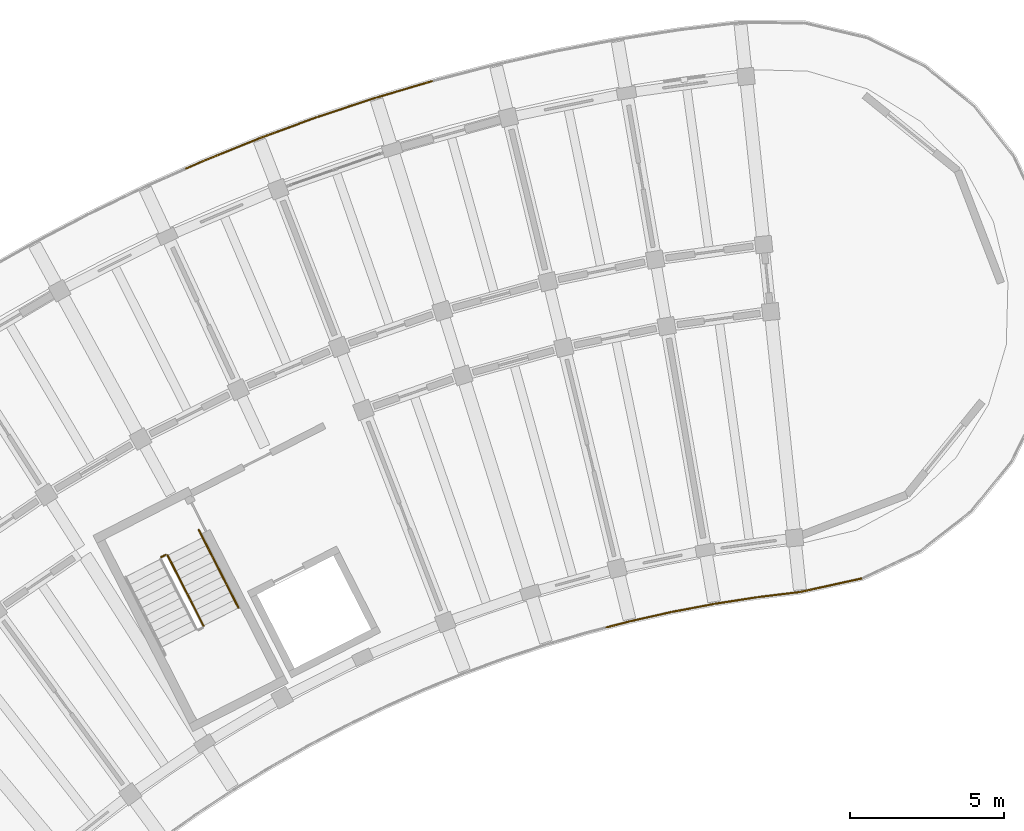
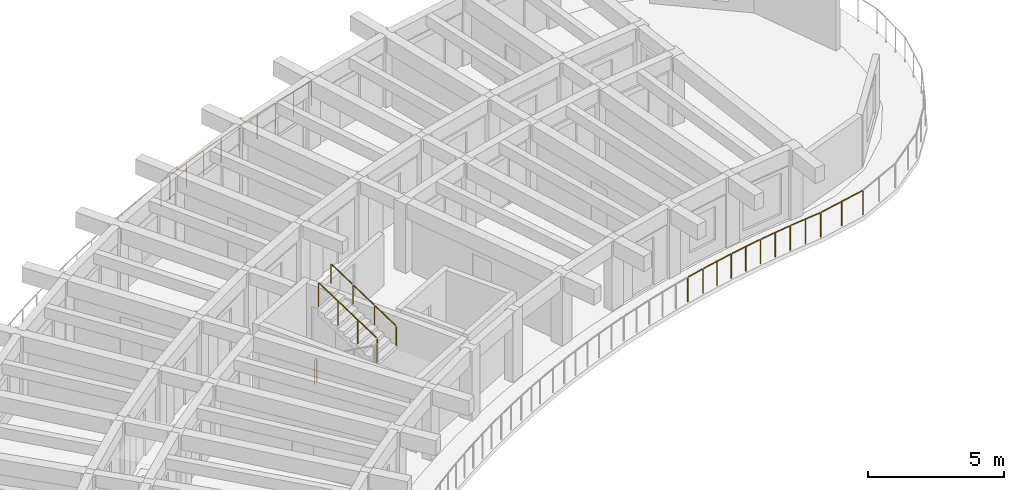
# One storey, part 69 of 78: 7 railings.
"""IFC4 building model written with IfcOpenShell, lengths in metres."""

from ifc_helpers import new_model, si_unit, direction, frame, origin, origin_2d, place, context, subcontext, project, spatial, circle, extrude, material, type_object, element, save


model = new_model("IFC4")

# Units and contexts
model_context = context("Model", 3, precision=1e-05, world=origin(), true_north=direction((0.0, 1.0)))
body_context = subcontext(model_context, "Body", "Model", "MODEL_VIEW")
ifc_project = project(units=[si_unit("LENGTHUNIT", "METRE"), si_unit("AREAUNIT", "SQUARE_METRE"), si_unit("VOLUMEUNIT", "CUBIC_METRE"), si_unit("PLANEANGLEUNIT", "RADIAN"), si_unit("MASSUNIT", "GRAM", prefix="KILO")], contexts=[model_context])

# Site, building, storey
site_placement = place(None, origin())
site = spatial("IfcSite", under=ifc_project, at=site_placement, CompositionType="ELEMENT")
building_placement = place(site_placement, origin())
building = spatial("IfcBuilding", under=site, at=building_placement, Name="Tanwirah Colonnade Gardens", CompositionType="ELEMENT")
storey_placement = place(building_placement, frame((0.0, 0.0, 22.280029296875)))
storey = spatial("IfcBuildingStorey", under=building, at=storey_placement, Name="L06", CompositionType="ELEMENT", Elevation=22.280029296875)

# Railings
ifc_material_1 = material(Name="Precast concrete C40/50", Category="concrete")
railing_type_1 = type_object("IfcRailingType", Name="BAL-EXT112", PredefinedType="BALUSTRADE", material=ifc_material_1)
railing_1_placement = place(storey_placement, frame((62.57666015625, 103.095947265625, 0.0)))
element("IfcRailing", 1, at=railing_1_placement, inside=storey, type_object=railing_type_1, Name="Block A L06 Balcony Ribbon Balustrade 1", PredefinedType="BALUSTRADE", context=body_context, shape_type="SweptSolid", body=[
    extrude(circle(Radius=0.02392578125, at=origin_2d()), frame((-0.030517578125, -0.0068359375, 1.09619140625), z_axis=(-0.976545428659, -0.215311462222, 0.0), x_axis=(0.215311462222, -0.976545428659, 0.0)), (0.0, 0.0, 1.0), 2.029541015625),
    extrude(circle(Radius=0.02392578125, at=origin_2d()), frame((-2.073974609375, -0.4541015625, 1.09619140625), z_axis=(-0.99267751715, -0.120794647829, 0.0), x_axis=(0.120794647829, -0.99267751715, 0.0)), (0.0, 0.0, 1.0), 1.338134765625),
    extrude(circle(Radius=0.02392578125, at=origin_2d()), frame((-3.466796875, -0.625, 1.09619140625), z_axis=(-0.988147546762, -0.153507087226, 0.0), x_axis=(0.153507087226, -0.988147546762, 0.0)), (0.0, 0.0, 1.0), 1.341796875),
    extrude(circle(Radius=0.02392578125, at=origin_2d()), frame((-4.85693359375, -0.842041015625, 1.09619140625), z_axis=(-0.982547926195, -0.186009603862, 0.0), x_axis=(0.186009603862, -0.982547926195, 0.0)), (0.0, 0.0, 1.0), 1.341796875),
    extrude(circle(Radius=0.02392578125, at=origin_2d()), frame((-6.239013671875, -1.104736328125, 1.09619140625), z_axis=(-0.975875211082, -0.218329046156, 0.0), x_axis=(0.218329046156, -0.975875211082, 0.0)), (0.0, 0.0, 1.0), 1.342041015625),
    extrude(circle(Radius=0.02392578125, at=origin_2d()), frame((-7.61181640625, -1.4130859375, 1.09619140625), z_axis=(-0.968150815957, -0.25036772468, 0.0), x_axis=(0.25036772468, -0.968150815957, 0.0)), (0.0, 0.0, 1.0), 0.721435546875),
    extrude(circle(Radius=0.02099609375, at=origin_2d()), origin(), (0.0, 0.0, 1.0), 1.069091796875),
    extrude(circle(Radius=0.02099609375, at=origin_2d()), frame((-1.021484375, -0.22509765625, 0.0)), (0.0, 0.0, 1.0), 1.069091796875),
    extrude(circle(Radius=0.02099609375, at=origin_2d()), frame((-2.04296875, -0.450439453125, 0.0)), (0.0, 0.0, 1.0), 1.069091796875),
    extrude(circle(Radius=0.02099609375, at=origin_2d()), frame((-2.73828125, -0.53515625, 0.0)), (0.0, 0.0, 1.0), 1.069091796875),
    extrude(circle(Radius=0.02099609375, at=origin_2d()), frame((-3.433349609375, -0.61962890625, 0.0)), (0.0, 0.0, 1.0), 1.069091796875),
    extrude(circle(Radius=0.02099609375, at=origin_2d()), frame((-4.129638671875, -0.72802734375, 0.0)), (0.0, 0.0, 1.0), 1.069091796875),
    extrude(circle(Radius=0.02099609375, at=origin_2d()), frame((-4.823486328125, -0.835693359375, 0.0)), (0.0, 0.0, 1.0), 1.069091796875),
    extrude(circle(Radius=0.02099609375, at=origin_2d()), frame((-5.51611328125, -0.966796875, 0.0)), (0.0, 0.0, 1.0), 1.069091796875),
    extrude(circle(Radius=0.02099609375, at=origin_2d()), frame((-6.2060546875, -1.097412109375, 0.0)), (0.0, 0.0, 1.0), 1.069091796875),
    extrude(circle(Radius=0.02099609375, at=origin_2d()), frame((-6.893798828125, -1.251220703125, 0.0)), (0.0, 0.0, 1.0), 1.069091796875),
    extrude(circle(Radius=0.02099609375, at=origin_2d()), frame((-7.5791015625, -1.404541015625, 0.0)), (0.0, 0.0, 1.0), 1.069091796875),
    extrude(circle(Radius=0.02099609375, at=origin_2d()), frame((-8.340576171875, -1.6015625, 0.0)), (0.0, 0.0, 1.0), 1.069091796875),
])
railing_2_placement = place(storey_placement, frame((40.5517578125, 116.428466796875, 0.0)))
element("IfcRailing", 2, at=railing_2_placement, inside=storey, type_object=railing_type_1, Name="Block A L06 Balcony Ribbon Balustrade 17", PredefinedType="BALUSTRADE", context=body_context, shape_type="SweptSolid", body=[
    extrude(circle(Radius=0.02392578125, at=origin_2d()), frame((0.028564453125, 0.0126953125, 1.09619140625), z_axis=(0.914037447664, 0.405629811857, 0.0), x_axis=(-0.405629811857, 0.914037447664, 0.0)), (0.0, 0.0, 1.0), 0.471923828125),
    extrude(circle(Radius=0.02392578125, at=origin_2d()), frame((0.517578125, 0.228515625, 1.09619140625), z_axis=(0.926784720453, 0.375592973757, 0.0), x_axis=(-0.375592973757, 0.926784720453, 0.0)), (0.0, 0.0, 1.0), 1.958984375),
    extrude(circle(Radius=0.02392578125, at=origin_2d()), frame((2.391357421875, 0.98681640625, 1.09619140625), z_axis=(0.938723993457, 0.344669789956, 0.0), x_axis=(-0.344669789956, 0.938723993457, 0.0)), (0.0, 0.0, 1.0), 1.958984375),
    extrude(circle(Radius=0.02392578125, at=origin_2d()), frame((4.28955078125, 1.6826171875, 1.09619140625), z_axis=(0.949537316482, 0.313654084317, 0.0), x_axis=(-0.313654084317, 0.949537316482, 0.0)), (0.0, 0.0, 1.0), 1.958984375),
    extrude(circle(Radius=0.02392578125, at=origin_2d()), frame((6.209228515625, 2.315673828125, 1.09619140625), z_axis=(0.9593675466, 0.282159370801, 0.0), x_axis=(-0.282159370801, 0.9593675466, 0.0)), (0.0, 0.0, 1.0), 1.83837890625),
    extrude(circle(Radius=0.02099609375, at=origin_2d()), origin(), (0.0, 0.0, 1.0), 1.069091796875),
    extrude(circle(Radius=0.02099609375, at=origin_2d()), frame((0.488525390625, 0.216796875, 0.0)), (0.0, 0.0, 1.0), 1.069091796875),
    extrude(circle(Radius=0.02099609375, at=origin_2d()), frame((1.42529296875, 0.596435546875, 0.0)), (0.0, 0.0, 1.0), 1.069091796875),
    extrude(circle(Radius=0.02099609375, at=origin_2d()), frame((2.362060546875, 0.97607421875, 0.0)), (0.0, 0.0, 1.0), 1.069091796875),
    extrude(circle(Radius=0.02099609375, at=origin_2d()), frame((3.31103515625, 1.324462890625, 0.0)), (0.0, 0.0, 1.0), 1.069091796875),
    extrude(circle(Radius=0.02099609375, at=origin_2d()), frame((4.259765625, 1.6728515625, 0.0)), (0.0, 0.0, 1.0), 1.069091796875),
    extrude(circle(Radius=0.02099609375, at=origin_2d()), frame((5.219482421875, 1.98974609375, 0.0)), (0.0, 0.0, 1.0), 1.069091796875),
    extrude(circle(Radius=0.02099609375, at=origin_2d()), frame((6.17919921875, 2.306884765625, 0.0)), (0.0, 0.0, 1.0), 1.069091796875),
    extrude(circle(Radius=0.02099609375, at=origin_2d()), frame((7.091064453125, 2.5751953125, 0.0)), (0.0, 0.0, 1.0), 1.069091796875),
    extrude(circle(Radius=0.02099609375, at=origin_2d()), frame((8.0029296875, 2.84326171875, 0.0)), (0.0, 0.0, 1.0), 1.069091796875),
])
ifc_material_2 = material(Name="Powder-coated galvanized steel", Category="steel")
railing_type_2 = type_object("IfcRailingType", Name="GRD-ST110", PredefinedType="GUARDRAIL", material=ifc_material_2)
railing_3_placement = place(storey_placement, frame((41.114990234375, 101.548095703125, 1.847900390625)))
element("IfcRailing", 3, at=railing_3_placement, inside=storey, type_object=railing_type_2, Name="L06 ST-A1 stair guard 3", PredefinedType="GUARDRAIL", context=body_context, shape_type="SweptSolid", body=[
    extrude(circle(Radius=0.02392578125, at=origin_2d()), frame((-0.01220703125, 0.02392578125, 1.092041015625), z_axis=(-0.3911222872, 0.767567239095, 0.507803003067), x_axis=(-0.890993730975, -0.45401560696, 0.0)), (0.0, 0.0, 1.0), 2.9150390625),
    extrude(circle(Radius=0.02099609375, at=origin_2d()), origin(), (0.0, 0.0, 1.0), 1.049072265625),
    extrude(circle(Radius=0.02099609375, at=origin_2d()), frame((-0.38818359375, 0.76171875, 0.50390625)), (0.0, 0.0, 1.0), 1.049072265625),
    extrude(circle(Radius=0.02099609375, at=origin_2d()), frame((-0.7763671875, 1.523681640625, 1.008056640625)), (0.0, 0.0, 1.0), 1.049072265625),
    extrude(circle(Radius=0.02099609375, at=origin_2d()), frame((-1.16455078125, 2.285400390625, 1.511962890625)), (0.0, 0.0, 1.0), 1.049072265625),
])
railing_4_placement = place(storey_placement, frame((39.74072265625, 103.78271484375, 0.0)))
element("IfcRailing", 4, at=railing_4_placement, inside=storey, type_object=railing_type_2, Name="L06 ST-A1 stair guard 4", PredefinedType="GUARDRAIL", context=body_context, shape_type="SweptSolid", body=[
    extrude(circle(Radius=0.02392578125, at=origin_2d()), frame((0.02783203125, 0.01416015625, 1.076171875), z_axis=(0.89073666619, 0.4545197372, 0.0), x_axis=(-0.4545197372, 0.89073666619, 0.0)), (0.0, 0.0, 1.0), 0.09765625),
    extrude(circle(Radius=0.02099609375, at=origin_2d()), origin(), (0.0, 0.0, 1.0), 1.049072265625),
    extrude(circle(Radius=0.02099609375, at=origin_2d()), frame((0.142578125, 0.07275390625, 0.0)), (0.0, 0.0, 1.0), 1.049072265625),
])
ifc_material_3 = material(Name="Brushed bronze stainless steel", Category="steel")
railing_type_3 = type_object("IfcRailingType", Name="HR-ST090", PredefinedType="HANDRAIL", material=ifc_material_3)
railing_5_placement = place(storey_placement, frame((42.255615234375, 102.129150390625, 1.847900390625)))
element("IfcRailing", 5, at=railing_5_placement, inside=storey, type_object=railing_type_3, Name="L06 ST-A1 stair handrail 4", PredefinedType="HANDRAIL", context=body_context, shape_type="SweptSolid", body=[
    extrude(circle(Radius=0.02392578125, at=origin_2d()), frame((-0.01220703125, 0.02392578125, 0.891845703125), z_axis=(-0.390073458003, 0.765356354779, 0.511930022133), x_axis=(-0.890957114254, -0.454087459154, 0.0)), (0.0, 0.0, 1.0), 1.04345703125),
    extrude(circle(Radius=0.02099609375, at=origin_2d()), origin(), (0.0, 0.0, 1.0), 0.848876953125),
    extrude(circle(Radius=0.02099609375, at=origin_2d()), frame((-0.431396484375, 0.846435546875, 0.566162109375)), (0.0, 0.0, 1.0), 0.848876953125),
])
railing_6_placement = place(storey_placement, frame((41.82421875, 102.9755859375, 2.4140625)))
element("IfcRailing", 6, at=railing_6_placement, inside=storey, type_object=railing_type_3, Name="L06 ST-A1 stair handrail 5", PredefinedType="HANDRAIL", context=body_context, shape_type="SweptSolid", body=[
    extrude(circle(Radius=0.02392578125, at=origin_2d()), frame((-0.01220703125, 0.02392578125, 0.891845703125), z_axis=(-0.390051618152, 0.765534245474, 0.511680617361), x_axis=(-0.891010084603, -0.453983511965, 0.0)), (0.0, 0.0, 1.0), 1.04345703125),
    extrude(circle(Radius=0.02099609375, at=origin_2d()), origin(), (0.0, 0.0, 1.0), 0.848876953125),
    extrude(circle(Radius=0.02099609375, at=origin_2d()), frame((-0.431396484375, 0.8466796875, 0.56591796875)), (0.0, 0.0, 1.0), 0.848876953125),
])
railing_7_placement = place(storey_placement, frame((41.392822265625, 103.822265625, 2.97998046875)))
element("IfcRailing", 7, at=railing_7_placement, inside=storey, type_object=railing_type_3, Name="L06 ST-A1 stair handrail 6", PredefinedType="HANDRAIL", context=body_context, shape_type="SweptSolid", body=[
    extrude(circle(Radius=0.02392578125, at=origin_2d()), frame((-0.01220703125, 0.02392578125, 0.891845703125), z_axis=(-0.38993033558, 0.765508761867, 0.511811165275), x_axis=(-0.891061070925, -0.453883429839, 0.0)), (0.0, 0.0, 1.0), 1.043212890625),
    extrude(circle(Radius=0.02099609375, at=origin_2d()), origin(), (0.0, 0.0, 1.0), 0.848876953125),
    extrude(circle(Radius=0.02099609375, at=origin_2d()), frame((-0.43115234375, 0.846435546875, 0.56591796875)), (0.0, 0.0, 1.0), 0.848876953125),
])

save(model, "model.ifc")
